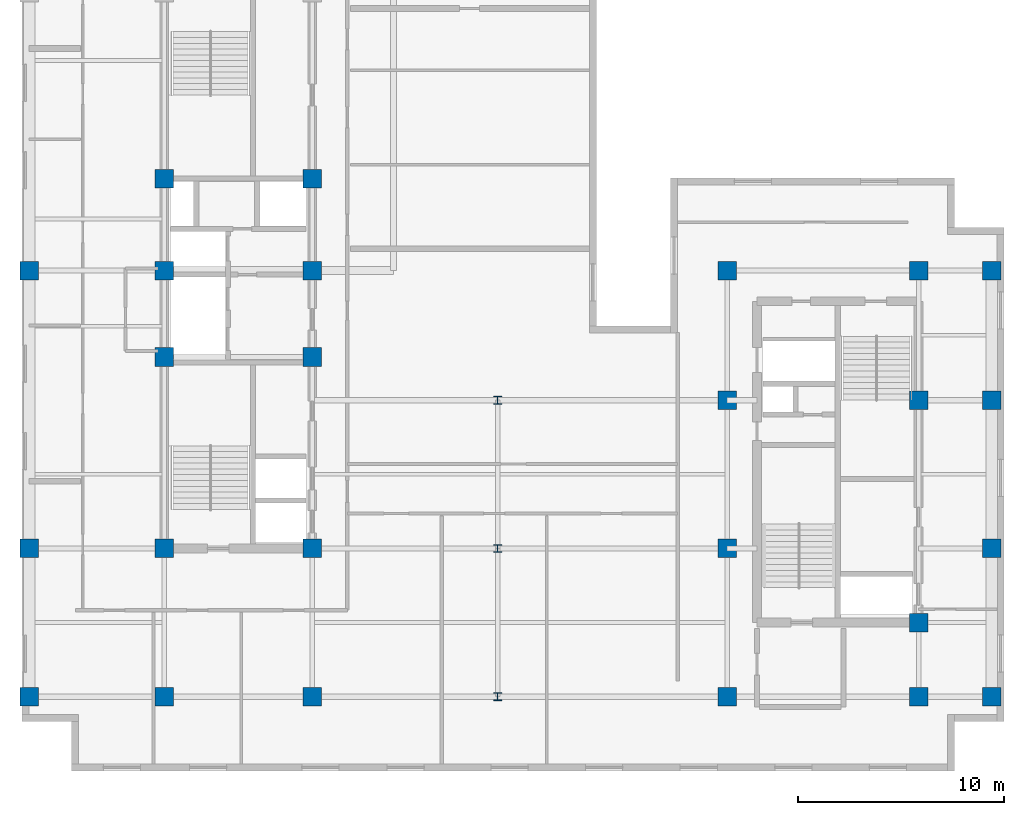
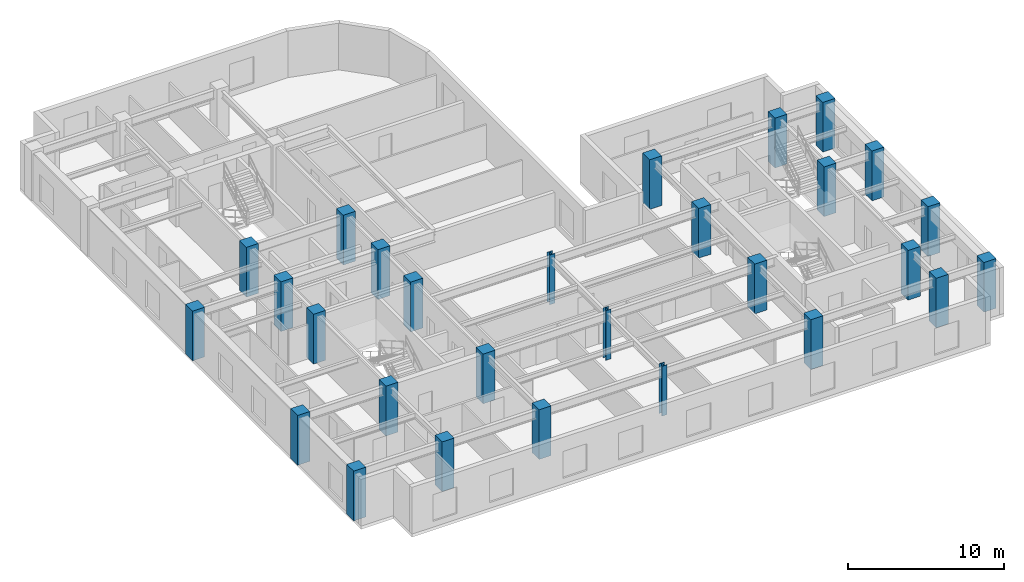
# One storey, part 1 of 10: 28 columns.
"""IFC4 building model written with IfcOpenShell, lengths in metres."""

from ifc_helpers import new_model, entity, si_unit, converted_unit, direction, frame, origin_with_axes, origin_2d_with_axis, place, context, subcontext, project, spatial, rectangle, i_section, extrude, material, material_profile, profile_set, type_object, element, save


model = new_model("IFC4")

# Units and contexts
model_context = context("Model", 3, precision=1e-05, world=origin_with_axes(), true_north=direction((0.0, 1.0)))
body_context = subcontext(model_context, "Body", "Model", "MODEL_VIEW")
ifc_project = project(units=[si_unit("LENGTHUNIT", "METRE"), si_unit("AREAUNIT", "SQUARE_METRE"), si_unit("VOLUMEUNIT", "CUBIC_METRE"), converted_unit("PLANEANGLEUNIT", "DEGREE", entity("IfcPlaneAngleMeasure", 0.017453292519943295), si_unit("PLANEANGLEUNIT", "RADIAN"), dimensions=[0, 0, 0, 0, 0, 0, 0]), si_unit("MASSUNIT", "GRAM", prefix="KILO"), si_unit("THERMODYNAMICTEMPERATUREUNIT", "KELVIN")], contexts=[model_context])

# Site, building, storey
site_placement = place(None, origin_with_axes())
site = spatial("IfcSite", under=ifc_project, at=site_placement, CompositionType="ELEMENT")
building_placement = place(site_placement, origin_with_axes())
building = spatial("IfcBuilding", under=site, at=building_placement, Name="Varnlund Millrace Tower", CompositionType="ELEMENT")
storey_placement = place(building_placement, frame((0.0, 0.0, 232.5), z_axis=(0.0, 0.0, 1.0), x_axis=(1.0, 0.0, 0.0)))
storey = spatial("IfcBuildingStorey", under=building, at=storey_placement, Name="L57", CompositionType="ELEMENT", Elevation=232.5)

# Columns
ifc_material_1 = material(Name="Steel ASTM A992 Grade 50", Category="steel")
ifc_material_profile_1 = material_profile(ifc_material_1, i_section(OverallWidth=0.394, OverallDepth=0.375, WebThickness=0.0173, FlangeThickness=0.0277, FilletRadius=0.02, at=origin_2d_with_axis()), Name="Steel ASTM A992 Grade 50")
ifc_profile_set_1 = profile_set([ifc_material_profile_1], Name="Steel ASTM A992 Grade 50")
column_type_1 = type_object("IfcColumnType", Name="Type-Col-Int-W14X145", PredefinedType="COLUMN", material=ifc_profile_set_1)
for number, where, z_axis, x_axis, name in (
    (1, (27.6, 3.6, 0.0), (0.0, 0.0, 1.0), (1.0, 0.0, 0.0), "Type-Col-Int-W14X145"),
    (2, (27.6, 10.8, 0.0), (0.0, 0.0, 1.0), (1.0, 0.0, 0.0), "Type-Col-Int-W14X145"),
    (3, (27.6, 18.0, 0.0), (0.0, 0.0, 1.0), (1.0, 0.0, 0.0), "Type-Col-Int-W14X145"),
):
    element("IfcColumn", number, at=place(storey_placement, frame(where, z_axis=z_axis, x_axis=x_axis)), inside=storey, type_object=column_type_1, Name=name, PredefinedType="COLUMN", context=body_context, shape_type="SweptSolid", body=[
        extrude(i_section(OverallWidth=0.394, OverallDepth=0.375, WebThickness=0.0173, FlangeThickness=0.0277, FilletRadius=0.02, at=origin_2d_with_axis()), origin_with_axes(), (0.0, 0.0, 1.0), 3.9),
    ])
ifc_material_2 = material(Name="Concrete C70/85", Category="concrete")
ifc_material_profile_2 = material_profile(ifc_material_2, rectangle(XDim=0.9, YDim=0.9, at=origin_2d_with_axis()), Name="Concrete C70/85")
ifc_profile_set_2 = profile_set([ifc_material_profile_2], Name="Concrete C70/85")
column_type_2 = type_object("IfcColumnType", Name="Type-Col-RC900-C70", PredefinedType="COLUMN", material=ifc_profile_set_2)
for number, where, z_axis, x_axis, name in (
    (4, (11.4, 3.6, 0.0), (0.0, 0.0, 1.0), (1.0, 0.0, 0.0), "Type-Col-RC900-C70"),
    (5, (11.4, 10.8, 0.0), (0.0, 0.0, 1.0), (1.0, 0.0, 0.0), "Type-Col-RC900-C70"),
    (6, (11.4, 20.1, 0.0), (0.0, 0.0, 1.0), (1.0, 0.0, 0.0), "Type-Col-RC900-C70"),
    (7, (11.4, 24.3, 0.0), (0.0, 0.0, 1.0), (1.0, 0.0, 0.0), "Type-Col-RC900-C70"),
    (8, (11.4, 28.75, 0.0), (0.0, 0.0, 1.0), (1.0, 0.0, 0.0), "Type-Col-RC900-C70"),
    (9, (18.6, 3.6, 0.0), (0.0, 0.0, 1.0), (1.0, 0.0, 0.0), "Type-Col-RC900-C70"),
    (10, (18.6, 10.8, 0.0), (0.0, 0.0, 1.0), (1.0, 0.0, 0.0), "Type-Col-RC900-C70"),
    (11, (18.6, 20.1, 0.0), (0.0, 0.0, 1.0), (1.0, 0.0, 0.0), "Type-Col-RC900-C70"),
    (12, (18.6, 24.3, 0.0), (0.0, 0.0, 1.0), (1.0, 0.0, 0.0), "Type-Col-RC900-C70"),
    (13, (18.6, 28.75, 0.0), (0.0, 0.0, 1.0), (1.0, 0.0, 0.0), "Type-Col-RC900-C70"),
    (14, (4.85, 3.6, 0.0), (0.0, 0.0, 1.0), (1.0, 0.0, 0.0), "Type-Col-RC900-C70"),
    (15, (4.85, 10.8, 0.0), (0.0, 0.0, 1.0), (1.0, 0.0, 0.0), "Type-Col-RC900-C70"),
    (16, (4.85, 24.3, 0.0), (0.0, 0.0, 1.0), (1.0, 0.0, 0.0), "Type-Col-RC900-C70"),
    (17, (38.75, 3.6, 0.0), (0.0, 0.0, 1.0), (1.0, 0.0, 0.0), "Type-Col-RC900-C70"),
    (18, (38.75, 10.8, 0.0), (0.0, 0.0, 1.0), (1.0, 0.0, 0.0), "Type-Col-RC900-C70"),
    (19, (38.75, 18.0, 0.0), (0.0, 0.0, 1.0), (1.0, 0.0, 0.0), "Type-Col-RC900-C70"),
    (20, (38.75, 24.3, 0.0), (0.0, 0.0, 1.0), (1.0, 0.0, 0.0), "Type-Col-RC900-C70"),
    (21, (48.05, 3.6, 0.0), (0.0, 0.0, 1.0), (1.0, 0.0, 0.0), "Type-Col-RC900-C70"),
    (22, (48.05, 7.2, 0.0), (0.0, 0.0, 1.0), (1.0, 0.0, 0.0), "Type-Col-RC900-C70"),
    (23, (48.05, 18.0, 0.0), (0.0, 0.0, 1.0), (1.0, 0.0, 0.0), "Type-Col-RC900-C70"),
    (24, (48.05, 24.3, 0.0), (0.0, 0.0, 1.0), (1.0, 0.0, 0.0), "Type-Col-RC900-C70"),
    (25, (51.6, 3.6, 0.0), (0.0, 0.0, 1.0), (1.0, 0.0, 0.0), "Type-Col-RC900-C70"),
    (26, (51.6, 10.8, 0.0), (0.0, 0.0, 1.0), (1.0, 0.0, 0.0), "Type-Col-RC900-C70"),
    (27, (51.6, 18.0, 0.0), (0.0, 0.0, 1.0), (1.0, 0.0, 0.0), "Type-Col-RC900-C70"),
    (28, (51.6, 24.3, 0.0), (0.0, 0.0, 1.0), (1.0, 0.0, 0.0), "Type-Col-RC900-C70"),
):
    element("IfcColumn", number, at=place(storey_placement, frame(where, z_axis=z_axis, x_axis=x_axis)), inside=storey, type_object=column_type_2, Name=name, PredefinedType="COLUMN", context=body_context, shape_type="SweptSolid", body=[
        extrude(rectangle(XDim=0.9, YDim=0.9, at=origin_2d_with_axis()), origin_with_axes(), (0.0, 0.0, 1.0), 3.9),
    ])

save(model, "model.ifc")
